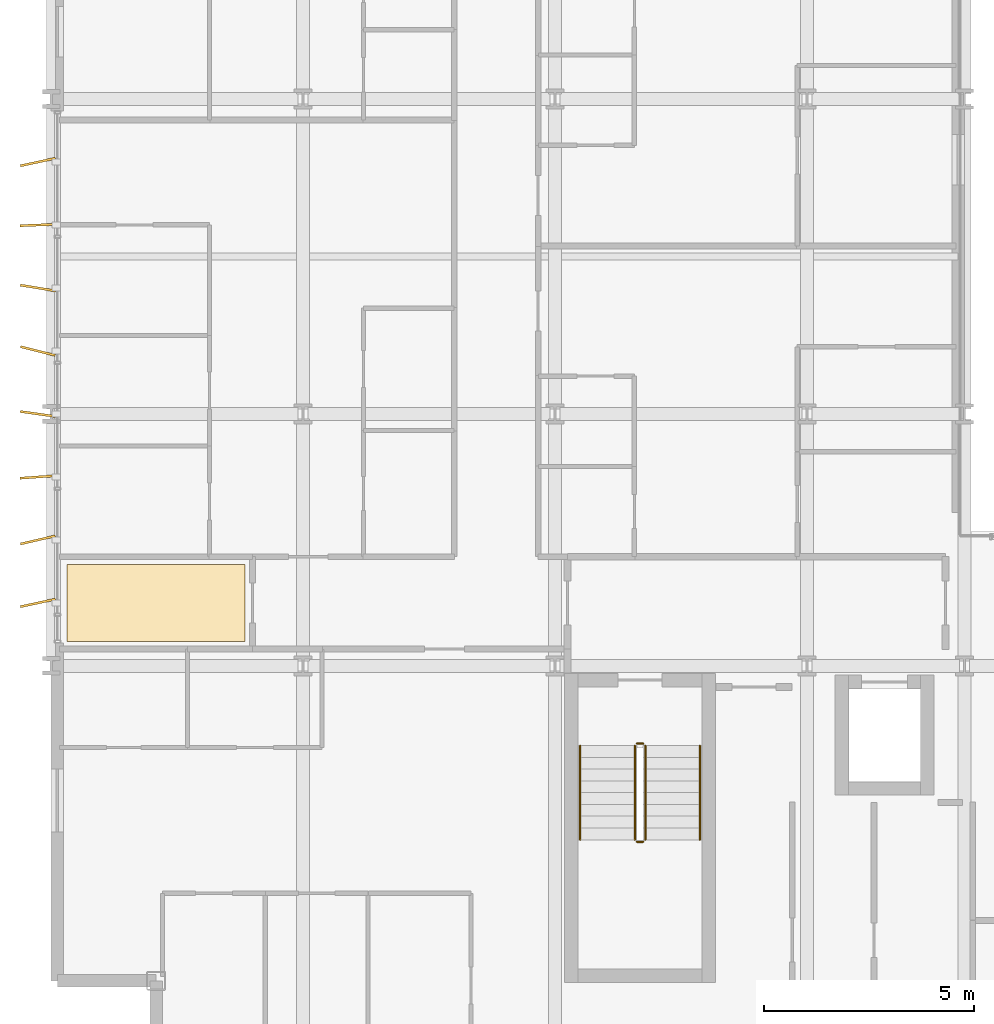
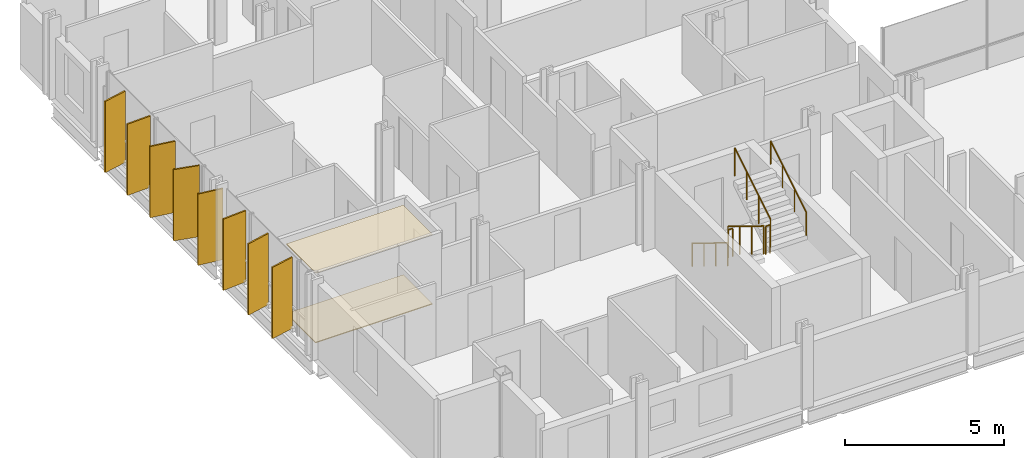
# One storey, part 35 of 38: 8 shading devices, 6 railings, 2 coverings.
"""IFC4 building model written with IfcOpenShell, lengths in metres."""

from ifc_helpers import new_model, si_unit, direction, frame, origin, origin_2d, place, context, subcontext, project, spatial, polyline, rectangle, circle, outline, extrude, material, layer, layer_set, type_object, element, save


model = new_model("IFC4")

# Units and contexts
model_context = context("Model", 3, precision=1e-05, world=origin(), true_north=direction((0.0, 1.0)))
body_context = subcontext(model_context, "Body", "Model", "MODEL_VIEW")
ifc_project = project(units=[si_unit("LENGTHUNIT", "METRE"), si_unit("AREAUNIT", "SQUARE_METRE"), si_unit("VOLUMEUNIT", "CUBIC_METRE"), si_unit("PLANEANGLEUNIT", "RADIAN"), si_unit("MASSUNIT", "GRAM", prefix="KILO")], contexts=[model_context])

# Site, building, storey
site_placement = place(None, origin())
site = spatial("IfcSite", under=ifc_project, at=site_placement, CompositionType="ELEMENT")
building_placement = place(site_placement, origin())
building = spatial("IfcBuilding", under=site, at=building_placement, Name="Brevholm Reach", CompositionType="ELEMENT")
storey_placement = place(building_placement, frame((0.0, 0.0, 46.60009765625)))
storey = spatial("IfcBuildingStorey", under=building, at=storey_placement, Name="L12", CompositionType="ELEMENT", Elevation=46.60009765625)

# Coverings
ifc_material_1 = material(Name="Moisture-Resistant Skimmed Gypsum Plasterboard Ceiling", Category="gypsum")
ifc_layer_1 = layer(ifc_material_1, 0.030029296875)
ifc_layer_set_1 = layer_set([ifc_layer_1], Name="Moisture-Resistant Skimmed Gypsum Plasterboard Ceiling")
covering_type_1 = type_object("IfcCoveringType", Name="COV-CLG-GYP", PredefinedType="CEILING", material=ifc_layer_set_1)
covering_1_placement = place(storey_placement, frame((0.0, 0.0, 2.669921875)))
element("IfcCovering", 1, at=covering_1_placement, inside=storey, type_object=covering_type_1, Name="L12 Suspended Ceiling L12-31", PredefinedType="CEILING", context=body_context, shape_type="SweptSolid", body=[
    extrude(outline(polyline([(0.3798828125, 12.419921875), (4.615966796875, 12.419921875), (4.615966796875, 10.583984375), (0.3798828125, 10.583984375), (0.3798828125, 12.419921875)])), origin(), (0.0, 0.0, 1.0), 0.030029296875),
])
ifc_material_2 = material(Name="Honed Portland-Aggregate Resin Terrazzo Flooring", Category="concrete")
ifc_layer_2 = layer(ifc_material_2, 0.031982421875)
ifc_layer_set_2 = layer_set([ifc_layer_2], Name="Honed Portland-Aggregate Resin Terrazzo Flooring")
covering_type_2 = type_object("IfcCoveringType", Name="COV-FLR-TRZ", PredefinedType="FLOORING", material=ifc_layer_set_2)
covering_2_placement = place(storey_placement, origin())
element("IfcCovering", 2, at=covering_2_placement, inside=storey, type_object=covering_type_2, Name="L12 Floor Finish L12-31", PredefinedType="FLOORING", context=body_context, shape_type="SweptSolid", body=[
    extrude(outline(polyline([(0.3798828125, 12.419921875), (4.615966796875, 12.419921875), (4.615966796875, 10.583984375), (0.3798828125, 10.583984375), (0.3798828125, 12.419921875)])), origin(), (0.0, 0.0, 1.0), 0.031982421875),
])

# Railings
ifc_material_3 = material(Name="Brushed Stainless Steel EN 1.4401 Continuous Handrail", Category="steel")
railing_type_1 = type_object("IfcRailingType", Name="RAL-HND-950", PredefinedType="HANDRAIL", material=ifc_material_3)
railing_1_placement = place(storey_placement, frame((12.60009765625, 8.10009765625, 0.172119140625)))
element("IfcRailing", 3, at=railing_1_placement, inside=storey, type_object=railing_type_1, Name="L12 ST-1 stair handrail 1", PredefinedType="HANDRAIL", context=body_context, shape_type="SweptSolid", body=[
    extrude(circle(Radius=0.02392578125, at=origin_2d()), frame((0.0, 0.0, 0.8857421875), z_axis=(0.0, -0.85178898068, 0.523885037382), x_axis=(1.0, 0.0, 0.0)), (0.0, 0.0, 1.0), 2.629638671875),
    extrude(circle(Radius=0.02099609375, at=origin_2d()), origin(), (0.0, 0.0, 1.0), 0.86181640625),
    extrude(circle(Radius=0.02099609375, at=origin_2d()), frame((0.0, -0.74658203125, 0.459228515625)), (0.0, 0.0, 1.0), 0.86181640625),
    extrude(circle(Radius=0.02099609375, at=origin_2d()), frame((0.0, -1.493408203125, 0.91845703125)), (0.0, 0.0, 1.0), 0.86181640625),
    extrude(circle(Radius=0.02099609375, at=origin_2d()), frame((0.0, -2.239990234375, 1.377685546875)), (0.0, 0.0, 1.0), 0.86181640625),
])
railing_2_placement = place(storey_placement, frame((15.449951171875, 5.860107421875, 1.72216796875)))
element("IfcRailing", 4, at=railing_2_placement, inside=storey, type_object=railing_type_1, Name="L12 ST-1 stair handrail 2", PredefinedType="HANDRAIL", context=body_context, shape_type="SweptSolid", body=[
    extrude(circle(Radius=0.02392578125, at=origin_2d()), frame((0.0, 0.0, 0.8857421875), z_axis=(0.0, 0.85178898068, 0.523885037382), x_axis=(-1.0, 0.0, 0.0)), (0.0, 0.0, 1.0), 2.629638671875),
    extrude(circle(Radius=0.02099609375, at=origin_2d()), origin(), (0.0, 0.0, 1.0), 0.86181640625),
    extrude(circle(Radius=0.02099609375, at=origin_2d()), frame((0.0, 0.74658203125, 0.459228515625)), (0.0, 0.0, 1.0), 0.86181640625),
    extrude(circle(Radius=0.02099609375, at=origin_2d()), frame((0.0, 1.493408203125, 0.91845703125)), (0.0, 0.0, 1.0), 0.86181640625),
    extrude(circle(Radius=0.02099609375, at=origin_2d()), frame((0.0, 2.239990234375, 1.377685546875)), (0.0, 0.0, 1.0), 0.86181640625),
])
ifc_material_4 = material(Name="Painted Tubular Galvanised Steel S275JR Stair Guard", Category="steel")
railing_type_2 = type_object("IfcRailingType", Name="RAL-STG-1120", PredefinedType="BALUSTRADE", material=ifc_material_4)
railing_3_placement = place(storey_placement, frame((13.89990234375, 8.10009765625, 0.172119140625)))
element("IfcRailing", 5, at=railing_3_placement, inside=storey, type_object=railing_type_2, Name="L12 ST-1 stair guard 1", PredefinedType="BALUSTRADE", context=body_context, shape_type="SweptSolid", body=[
    extrude(circle(Radius=0.02392578125, at=origin_2d()), frame((0.0, 0.0, 1.076171875), z_axis=(0.0, -0.85178898068, 0.523885037382), x_axis=(1.0, 0.0, 0.0)), (0.0, 0.0, 1.0), 2.629638671875),
    extrude(circle(Radius=0.02099609375, at=origin_2d()), origin(), (0.0, 0.0, 1.0), 1.052001953125),
    extrude(circle(Radius=0.02099609375, at=origin_2d()), frame((0.0, -0.74658203125, 0.459228515625)), (0.0, 0.0, 1.0), 1.052001953125),
    extrude(circle(Radius=0.02099609375, at=origin_2d()), frame((0.0, -1.493408203125, 0.91845703125)), (0.0, 0.0, 1.0), 1.052001953125),
    extrude(circle(Radius=0.02099609375, at=origin_2d()), frame((0.0, -2.239990234375, 1.377685546875)), (0.0, 0.0, 1.0), 1.052001953125),
])
railing_4_placement = place(storey_placement, frame((13.949951171875, 5.81005859375, 1.5498046875)))
element("IfcRailing", 6, at=railing_4_placement, inside=storey, type_object=railing_type_2, Name="L12 ST-1 stair guard 2", PredefinedType="BALUSTRADE", context=body_context, shape_type="SweptSolid", body=[
    extrude(circle(Radius=0.02392578125, at=origin_2d()), frame((0.0, 0.0, 1.076171875), z_axis=(1.0, 0.0, 0.0), x_axis=(0.0, 1.0, 0.0)), (0.0, 0.0, 1.0), 0.150146484375),
    extrude(circle(Radius=0.02099609375, at=origin_2d()), origin(), (0.0, 0.0, 1.0), 1.052001953125),
    extrude(circle(Radius=0.02099609375, at=origin_2d()), frame((0.150146484375, 0.0, 0.0)), (0.0, 0.0, 1.0), 1.052001953125),
])
railing_5_placement = place(storey_placement, frame((14.14990234375, 5.860107421875, 1.72216796875)))
element("IfcRailing", 7, at=railing_5_placement, inside=storey, type_object=railing_type_2, Name="L12 ST-1 stair guard 3", PredefinedType="BALUSTRADE", context=body_context, shape_type="SweptSolid", body=[
    extrude(circle(Radius=0.02392578125, at=origin_2d()), frame((0.0, 0.0, 1.076171875), z_axis=(0.0, 0.85178898068, 0.523885037382), x_axis=(-1.0, 0.0, 0.0)), (0.0, 0.0, 1.0), 2.629638671875),
    extrude(circle(Radius=0.02099609375, at=origin_2d()), origin(), (0.0, 0.0, 1.0), 1.052001953125),
    extrude(circle(Radius=0.02099609375, at=origin_2d()), frame((0.0, 0.74658203125, 0.459228515625)), (0.0, 0.0, 1.0), 1.052001953125),
    extrude(circle(Radius=0.02099609375, at=origin_2d()), frame((0.0, 1.493408203125, 0.91845703125)), (0.0, 0.0, 1.0), 1.052001953125),
    extrude(circle(Radius=0.02099609375, at=origin_2d()), frame((0.0, 2.239990234375, 1.377685546875)), (0.0, 0.0, 1.0), 1.052001953125),
])
railing_6_placement = place(storey_placement, frame((13.949951171875, 8.14990234375, 0.0)))
element("IfcRailing", 8, at=railing_6_placement, inside=storey, type_object=railing_type_2, Name="L12 ST-1 stair guard 4", PredefinedType="BALUSTRADE", context=body_context, shape_type="SweptSolid", body=[
    extrude(circle(Radius=0.02392578125, at=origin_2d()), frame((0.0, 0.0, 1.076171875), z_axis=(1.0, 0.0, 0.0), x_axis=(0.0, 1.0, 0.0)), (0.0, 0.0, 1.0), 0.150146484375),
    extrude(circle(Radius=0.02099609375, at=origin_2d()), origin(), (0.0, 0.0, 1.0), 1.052001953125),
    extrude(circle(Radius=0.02099609375, at=origin_2d()), frame((0.150146484375, 0.0, 0.0)), (0.0, 0.0, 1.0), 1.052001953125),
])

# Shading devices
ifc_material_5 = material(Name="Perforated Champagne-Bronze Anodised Aluminium", Category="aluminium")
ifc_layer_3 = layer(ifc_material_5, 0.054931640625)
ifc_layer_set_3 = layer_set([ifc_layer_3], Name="Perforated Champagne-Bronze Anodised Aluminium")
shading_device_type = type_object("IfcShadingDeviceType", Name="SHD-FIN-850", PredefinedType="USERDEFINED", material=ifc_layer_set_3)
for number, where, z_axis, x_axis, name in (
    (9, (-0.31494140625, 11.5, 0.06982421875), (0.0, 0.0, 1.0), (-0.977408517064, -0.211358914578, 0.0), "L12 Perforated Solar Screen Fin 1"),
    (10, (-0.31494140625, 13.0, 0.06982421875), (0.0, 0.0, 1.0), (-0.97447204401, -0.224508876088, 0.0), "L12 Perforated Solar Screen Fin 2"),
    (11, (-0.31494140625, 14.5, 0.06982421875), (0.0, 0.0, 1.0), (-0.997593182266, -0.069338608984, 0.0), "L12 Perforated Solar Screen Fin 3"),
    (12, (-0.31494140625, 16.0, 0.06982421875), (0.0, 0.0, 1.0), (-0.990229165669, 0.139449630542, 0.0), "L12 Perforated Solar Screen Fin 4"),
    (13, (-0.31494140625, 17.5, 0.06982421875), (0.0, 0.0, 1.0), (-0.970413835749, 0.241447690787, 0.0), "L12 Perforated Solar Screen Fin 5"),
    (14, (-0.31494140625, 19.0, 0.06982421875), (0.0, 0.0, 1.0), (-0.986552200214, 0.16344649355, 0.0), "L12 Perforated Solar Screen Fin 6"),
    (15, (-0.31494140625, 20.5, 0.06982421875), (0.0, 0.0, 1.0), (-0.999234508205, -0.039120296684, 0.0), "L12 Perforated Solar Screen Fin 7"),
    (16, (-0.31494140625, 22.0, 0.06982421875), (0.0, 0.0, 1.0), (-0.977408517064, -0.211358914578, 0.0), "L12 Perforated Solar Screen Fin 8"),
):
    element("IfcShadingDevice", number, at=place(storey_placement, frame(where, z_axis=z_axis, x_axis=x_axis)), inside=storey, type_object=shading_device_type, Name=name, ObjectType="SCREEN", PredefinedType="USERDEFINED", context=body_context, shape_type="SweptSolid", body=[
        extrude(rectangle(XDim=0.85009765625, YDim=0.054931640625, at=origin_2d()), origin(), (0.0, 0.0, 1.0), 2.72998046875),
    ])

save(model, "model.ifc")
